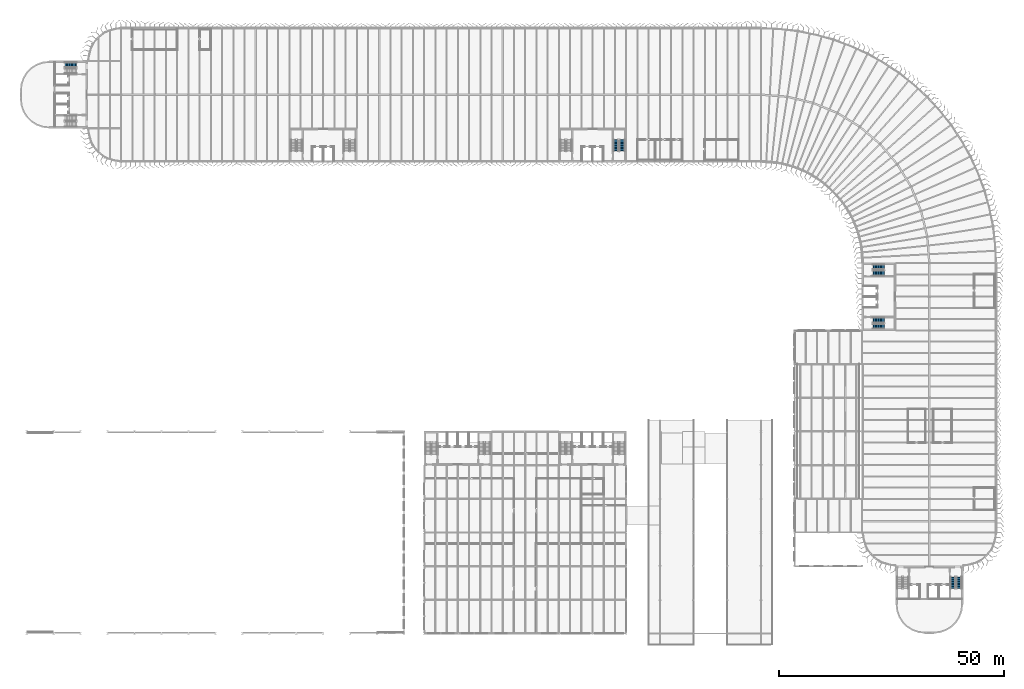
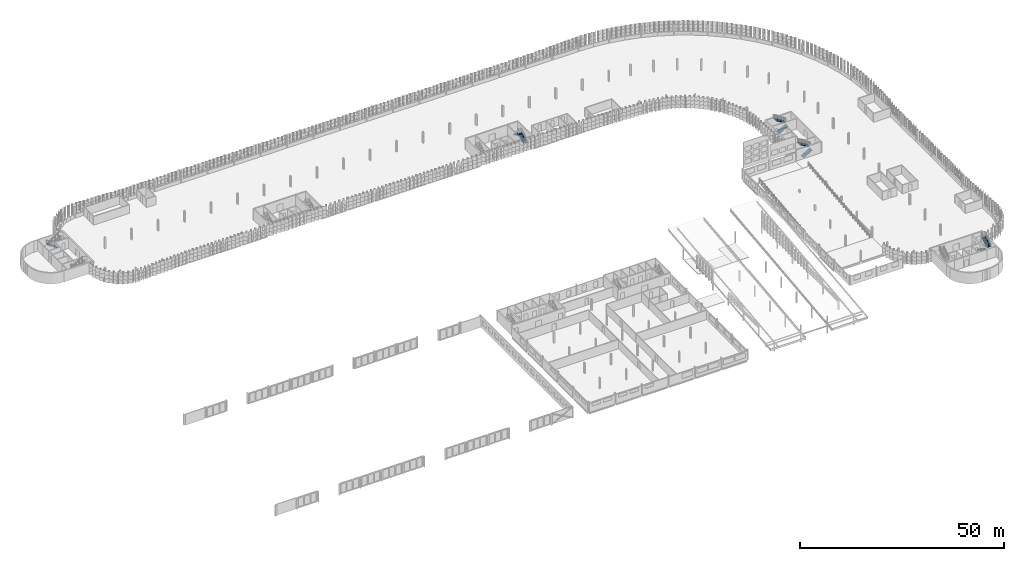
# One storey, part 67 of 199: 9 stair flights, 5 elements without a shape of their own.
"""IFC4 building model written with IfcOpenShell, lengths in metres."""

import ifcopenshell
import ifcopenshell.guid

model = None  # the IFC model being written
_history = None  # IfcOwnerHistory: only IFC2X3 demands one
_inside = {}  # id of a spatial element -> (the spatial element, [elements in it])
_under = {}  # id of a project, library or spatial element -> (it, [spatial elements below it])
_declared = {}  # id of a project -> (the project, [libraries it declares])
_typed = {}  # id of a type object -> (the type object, [elements of that type])
_made_of = {}  # id of a material, layer set ... -> (it, [elements and type objects made of it])


def new_model(schema):
    """Start an empty IFC model of exactly this schema.

    Asked for "IFC4X3", IfcOpenShell would pick the latest addendum, in which some entities
    have other attributes; the version numbers below select the first issue.
    IFC2X3 requires an IfcOwnerHistory on every rooted entity: one is made here for all.
    """
    global model, _history
    if schema == "IFC4X3":
        model = ifcopenshell.file(schema_version=(4, 3, 0, 0))
    else:
        model = ifcopenshell.file(schema=schema)
    _inside.clear()
    _under.clear()
    _declared.clear()
    _typed.clear()
    _made_of.clear()
    _history = None
    if model.schema == "IFC2X3":
        org = make("IfcOrganization", Name="unknown")
        user = make(
            "IfcPersonAndOrganization",
            ThePerson=make("IfcPerson", FamilyName="unknown"),
            TheOrganization=org,
        )
        app = make(
            "IfcApplication",
            ApplicationDeveloper=org,
            Version="unknown",
            ApplicationFullName="unknown",
            ApplicationIdentifier="unknown",
        )
        _history = make(
            "IfcOwnerHistory",
            OwningUser=user,
            OwningApplication=app,
            ChangeAction="ADDED",
            CreationDate=0,
        )
    return model


def make(cls, **values):
    """One entity of the class cls with the attributes given. An attribute that is None is left unset."""
    return model.create_entity(
        cls, **{name: value for name, value in values.items() if value is not None}
    )


def rooted(cls, **values):
    """An entity with a GlobalId (a new one), such as an element, a storey or a relation."""
    return make(cls, GlobalId=ifcopenshell.guid.new(), OwnerHistory=_history, **values)


def si_unit(unit_type, name, prefix=None):
    """IfcSIUnit, for example si_unit("LENGTHUNIT", "METRE", prefix="MILLI")."""
    return make("IfcSIUnit", UnitType=unit_type, Prefix=prefix, Name=name)


def assignment(units):
    """IfcUnitAssignment: the units of a project."""
    return None if units is None else make("IfcUnitAssignment", Units=units)


def point(xyz):
    """IfcCartesianPoint."""
    return None if xyz is None else make("IfcCartesianPoint", Coordinates=xyz)


def direction(xyz):
    """IfcDirection."""
    return None if xyz is None else make("IfcDirection", DirectionRatios=xyz)


def frame(location, z_axis=None, x_axis=None):
    """IfcAxis2Placement3D, a coordinate frame: its origin and axes. An axis left out is left unset."""
    return make(
        "IfcAxis2Placement3D",
        Location=point(location),
        Axis=direction(z_axis),
        RefDirection=direction(x_axis),
    )


def origin():
    """The frame at (0, 0, 0) with its axes left unset."""
    return frame((0.0, 0.0, 0.0))


def place(relative_to, where):
    """IfcLocalPlacement: puts the frame where relative to a parent placement (None: the world)."""
    return make(
        "IfcLocalPlacement", PlacementRelTo=relative_to, RelativePlacement=where
    )


def context(
    kind, dimensions, precision=None, world=None, true_north=None, identifier=None
):
    """IfcGeometricRepresentationContext, for example the 3D "Model" context."""
    return make(
        "IfcGeometricRepresentationContext",
        ContextIdentifier=identifier,
        ContextType=kind,
        CoordinateSpaceDimension=dimensions,
        Precision=precision,
        WorldCoordinateSystem=world,
        TrueNorth=true_north,
    )


def subcontext(parent, identifier, kind, view, scale=None):
    """IfcGeometricRepresentationSubContext, for example "Body" below "Model"."""
    return make(
        "IfcGeometricRepresentationSubContext",
        ContextIdentifier=identifier,
        ContextType=kind,
        ParentContext=parent,
        TargetScale=scale,
        TargetView=view,
    )


def project(units=None, contexts=None):
    """IfcProject with its units and contexts."""
    return rooted(
        "IfcProject",
        Name="project",
        RepresentationContexts=contexts,
        UnitsInContext=assignment(units),
    )


def spatial(cls, under=None, at=None, **own):
    """A site, building, storey or space (cls), placed at a placement, below another one or the project."""
    s = rooted(cls, ObjectPlacement=at, **own)
    if under is not None:
        _under.setdefault(under.id(), (under, []))[1].append(s)
    return s


def polyline(points):
    """IfcPolyline through the points."""
    return make("IfcPolyline", Points=[point(p) for p in points])


def outline(outer, holes=None, kind="AREA"):
    """IfcArbitraryClosedProfileDef: a profile drawn as a closed curve; with holes, ...WithVoids."""
    if holes is None:
        return make("IfcArbitraryClosedProfileDef", ProfileType=kind, OuterCurve=outer)
    return make(
        "IfcArbitraryProfileDefWithVoids",
        ProfileType=kind,
        OuterCurve=outer,
        InnerCurves=holes,
    )


def extrude(swept, where, along, depth):
    """IfcExtrudedAreaSolid: the profile swept, set in the frame where, extruded along a direction by depth."""
    return make(
        "IfcExtrudedAreaSolid",
        SweptArea=swept,
        Position=where,
        ExtrudedDirection=direction(along),
        Depth=depth,
    )


def shape(context_of_items, identifier, shape_type, items):
    """IfcShapeRepresentation: the items that make up one representation, for example the "Body"."""
    return make(
        "IfcShapeRepresentation",
        ContextOfItems=context_of_items,
        RepresentationIdentifier=identifier,
        RepresentationType=shape_type,
        Items=items,
    )


def material(Name=None, Category=None):
    """IfcMaterial."""
    return make("IfcMaterial", Name=Name, Category=Category)


def made_of(thing, what):
    """Note that an element or type object is made of a material, layer set ...; save() writes the relation."""
    if what is not None:
        _made_of.setdefault(what.id(), (what, []))[1].append(thing)
    return thing


def type_object(cls, material=None, **own):
    """A type object (cls), such as IfcWallType, which elements share."""
    return made_of(rooted(cls, **own), material)


def element(
    cls,
    number,
    at=None,
    inside=None,
    cuts=None,
    type_object=None,
    material=None,
    context=None,
    identifier="Body",
    shape_type=None,
    held_by="IfcProductDefinitionShape",
    body=None,
    shapes=None,
    **own,
):
    """One element of the class cls, such as IfcWall. Its Tag is "e" and its number.

    at: its placement. inside: the storey or other place that contains it. cuts: it is an
    opening in that element (IfcRelVoidsElement). A single representation is given by context,
    identifier, shape_type and body (its items); several are given by shapes. held_by: the class
    of the entity that holds the representations. save() writes the other relations.
    """
    e = rooted(cls, Tag="e%d" % number, ObjectPlacement=at, **own)
    if body is not None:
        shapes = [shape(context, identifier, shape_type, body)]
    if shapes is not None:
        e.Representation = make(held_by, Representations=shapes)
    if inside is not None:
        _inside.setdefault(inside.id(), (inside, []))[1].append(e)
    if cuts is not None:
        rooted(
            "IfcRelVoidsElement", RelatingBuildingElement=cuts, RelatedOpeningElement=e
        )
    if type_object is not None:
        _typed.setdefault(type_object.id(), (type_object, []))[1].append(e)
    return made_of(e, material)


def aggregate(whole, parts):
    """IfcRelAggregates: a whole, such as a stair, and the parts it consists of."""
    return rooted("IfcRelAggregates", RelatingObject=whole, RelatedObjects=parts)


def save(model, path):
    """Write the relations noted so far, then the file.

    IfcRelAggregates (storeys below a building ...), IfcRelContainedInSpatialStructure (elements
    in a storey), IfcRelDefinesByType, IfcRelAssociatesMaterial and IfcRelDeclares: one each for
    every whole, place, type object, material and project.
    """
    for whole, parts in _under.values():
        aggregate(whole, parts)
    for where, things in _inside.values():
        rooted(
            "IfcRelContainedInSpatialStructure",
            RelatedElements=things,
            RelatingStructure=where,
        )
    for kind, things in _typed.values():
        rooted("IfcRelDefinesByType", RelatedObjects=things, RelatingType=kind)
    for what, things in _made_of.values():
        rooted("IfcRelAssociatesMaterial", RelatedObjects=things, RelatingMaterial=what)
    for by, libraries in _declared.values():
        rooted("IfcRelDeclares", RelatingContext=by, RelatedDefinitions=libraries)
    model.write(path)


model = new_model("IFC4")

# Units and contexts
model_context = context("Model", 3, precision=1e-05, world=origin(), true_north=direction((0.0, 1.0)))
body_context = subcontext(model_context, "Body", "Model", "MODEL_VIEW")
ifc_project = project(units=[si_unit("LENGTHUNIT", "METRE"), si_unit("AREAUNIT", "SQUARE_METRE"), si_unit("VOLUMEUNIT", "CUBIC_METRE"), si_unit("PLANEANGLEUNIT", "RADIAN"), si_unit("MASSUNIT", "GRAM", prefix="KILO")], contexts=[model_context])

# Site, building, storey
site_placement = place(None, origin())
site = spatial("IfcSite", under=ifc_project, at=site_placement, CompositionType="ELEMENT")
building_placement = place(site_placement, origin())
building = spatial("IfcBuilding", under=site, at=building_placement, Name="Parallax Yard Mobility Hub", CompositionType="ELEMENT")
storey_placement = place(building_placement, frame((0.0, 0.0, 9.89990234375)))
storey = spatial("IfcBuildingStorey", under=building, at=storey_placement, Name="L03", CompositionType="ELEMENT", Elevation=9.89990234375)

# Stair, stair flight
ifc_material = material(Name="Concrete fc' 35 MPa", Category="concrete")
stair_type = type_object("IfcStairType", Name="Exit stair 1200 dog-leg", PredefinedType="HALF_TURN_STAIR", material=ifc_material)
stair_1_placement = place(storey_placement, origin())
stair_1 = element("IfcStair", 1, at=stair_1_placement, inside=storey, type_object=stair_type, Name="L03 Exit stair 2 of core C-W", PredefinedType="HALF_TURN_STAIR")
stair_flight_type = type_object("IfcStairFlightType", Name="Exit stair flight 1200", PredefinedType="STRAIGHT", material=ifc_material)
stair_flight_1_placement = place(storey_placement, frame((20.10009765625, 134.10009765625, 0.0), z_axis=(0.0, 0.0, 1.0), x_axis=(-1.0, 0.0, 0.0)))
stair_flight_1 = element("IfcStairFlight", 2, at=stair_flight_1_placement, type_object=stair_flight_type, Name="ST2 flight 1", NumberOfRisers=10, NumberOfTreads=9, PredefinedType="STRAIGHT", RiserHeight=0.165, TreadLength=0.285, context=body_context, shape_type="SweptSolid", body=[
    extrude(outline(polyline([(0.0, 0.0), (0.0, 0.1650390625), (0.284912109375, 0.1650390625), (0.284912109375, 0.330078125), (0.570068359375, 0.330078125), (0.570068359375, 0.4951171875), (0.85498046875, 0.4951171875), (0.85498046875, 0.659912109375), (1.139892578125, 0.659912109375), (1.139892578125, 0.824951171875), (1.425048828125, 0.824951171875), (1.425048828125, 0.989990234375), (1.7099609375, 0.989990234375), (1.7099609375, 1.155029296875), (1.9951171875, 1.155029296875), (1.9951171875, 1.320068359375), (2.280029296875, 1.320068359375), (2.280029296875, 1.485107421875), (2.56494140625, 1.485107421875), (2.56494140625, 1.64990234375), (2.56494140625, 1.311767578125), (0.299072265625, 0.0), (0.0, 0.0)])), frame((0.0, 0.60009765625, 0.0), z_axis=(0.0, -1.0, 0.0), x_axis=(1.0, 0.0, 0.0)), (0.0, 0.0, 1.0), 1.199951171875),
])
aggregate(stair_1, [stair_flight_1])

# Stair, stair flights
stair_2_placement = place(storey_placement, origin())
stair_2 = element("IfcStair", 3, at=stair_2_placement, inside=storey, type_object=stair_type, Name="L03 Exit stair 1 of core C-N2", PredefinedType="HALF_TURN_STAIR")
stair_flight_2_placement = place(storey_placement, frame((141.60009765625, 114.89990234375, 0.0), z_axis=(0.0, 0.0, 1.0), x_axis=(0.0, 1.0, 0.0)))
stair_flight_2 = element("IfcStairFlight", 4, at=stair_flight_2_placement, type_object=stair_flight_type, Name="ST5 flight 1", NumberOfRisers=10, NumberOfTreads=9, PredefinedType="STRAIGHT", RiserHeight=0.165, TreadLength=0.285, context=body_context, shape_type="SweptSolid", body=[
    extrude(outline(polyline([(0.0, 0.0), (0.0, 0.1650390625), (0.284912109375, 0.1650390625), (0.284912109375, 0.330078125), (0.570068359375, 0.330078125), (0.570068359375, 0.4951171875), (0.85498046875, 0.4951171875), (0.85498046875, 0.659912109375), (1.139892578125, 0.659912109375), (1.139892578125, 0.824951171875), (1.425048828125, 0.824951171875), (1.425048828125, 0.989990234375), (1.7099609375, 0.989990234375), (1.7099609375, 1.155029296875), (1.9951171875, 1.155029296875), (1.9951171875, 1.320068359375), (2.280029296875, 1.320068359375), (2.280029296875, 1.485107421875), (2.56494140625, 1.485107421875), (2.56494140625, 1.64990234375), (2.56494140625, 1.311767578125), (0.299072265625, 0.0), (0.0, 0.0)])), frame((0.0, 0.60009765625, 0.0), z_axis=(0.0, -1.0, 0.0), x_axis=(1.0, 0.0, 0.0)), (0.0, 0.0, 1.0), 1.199951171875),
])
stair_flight_3_placement = place(storey_placement, frame((140.25, 117.465087890625, 1.650146484375), z_axis=(0.0, 0.0, 1.0), x_axis=(0.0, -1.0, 0.0)))
stair_flight_3 = element("IfcStairFlight", 5, at=stair_flight_3_placement, type_object=stair_flight_type, Name="ST5 flight 2", NumberOfRisers=10, NumberOfTreads=9, PredefinedType="STRAIGHT", RiserHeight=0.165, TreadLength=0.285, context=body_context, shape_type="SweptSolid", body=[
    extrude(outline(polyline([(0.0, 0.0), (0.0, 0.1650390625), (0.284912109375, 0.1650390625), (0.284912109375, 0.330078125), (0.570068359375, 0.330078125), (0.570068359375, 0.4951171875), (0.85498046875, 0.4951171875), (0.85498046875, 0.659912109375), (1.139892578125, 0.659912109375), (1.139892578125, 0.824951171875), (1.425048828125, 0.824951171875), (1.425048828125, 0.989990234375), (1.7099609375, 0.989990234375), (1.7099609375, 1.155029296875), (1.9951171875, 1.155029296875), (1.9951171875, 1.320068359375), (2.280029296875, 1.320068359375), (2.280029296875, 1.485107421875), (2.56494140625, 1.485107421875), (2.56494140625, 1.64990234375), (2.56494140625, 1.311767578125), (0.299072265625, 0.0), (0.0, 0.0)])), frame((0.0, 0.60009765625, 0.0), z_axis=(0.0, -1.0, 0.0), x_axis=(1.0, 0.0, 0.0)), (0.0, 0.0, 1.0), 1.199951171875),
])
aggregate(stair_2, [stair_flight_2, stair_flight_3])

stair_3_placement = place(storey_placement, origin())
stair_3 = element("IfcStair", 6, at=stair_3_placement, inside=storey, type_object=stair_type, Name="L03 Exit stair 1 of core C-E", PredefinedType="HALF_TURN_STAIR")
stair_flight_4_placement = place(storey_placement, frame((197.39990234375, 75.89990234375, 0.0), z_axis=(0.0, 0.0, 1.0), x_axis=(1.0, 0.0, 0.0)))
stair_flight_4 = element("IfcStairFlight", 7, at=stair_flight_4_placement, type_object=stair_flight_type, Name="ST7 flight 1", NumberOfRisers=10, NumberOfTreads=9, PredefinedType="STRAIGHT", RiserHeight=0.165, TreadLength=0.285, context=body_context, shape_type="SweptSolid", body=[
    extrude(outline(polyline([(0.0, 0.0), (0.0, 0.1650390625), (0.284912109375, 0.1650390625), (0.284912109375, 0.330078125), (0.570068359375, 0.330078125), (0.570068359375, 0.4951171875), (0.85498046875, 0.4951171875), (0.85498046875, 0.659912109375), (1.139892578125, 0.659912109375), (1.139892578125, 0.824951171875), (1.425048828125, 0.824951171875), (1.425048828125, 0.989990234375), (1.7099609375, 0.989990234375), (1.7099609375, 1.155029296875), (1.9951171875, 1.155029296875), (1.9951171875, 1.320068359375), (2.280029296875, 1.320068359375), (2.280029296875, 1.485107421875), (2.56494140625, 1.485107421875), (2.56494140625, 1.64990234375), (2.56494140625, 1.311767578125), (0.299072265625, 0.0), (0.0, 0.0)])), frame((0.0, 0.60009765625, 0.0), z_axis=(0.0, -1.0, 0.0), x_axis=(1.0, 0.0, 0.0)), (0.0, 0.0, 1.0), 1.199951171875),
])
stair_flight_5_placement = place(storey_placement, frame((199.965087890625, 77.25, 1.650146484375), z_axis=(0.0, 0.0, 1.0), x_axis=(-1.0, 0.0, 0.0)))
stair_flight_5 = element("IfcStairFlight", 8, at=stair_flight_5_placement, type_object=stair_flight_type, Name="ST7 flight 2", NumberOfRisers=10, NumberOfTreads=9, PredefinedType="STRAIGHT", RiserHeight=0.165, TreadLength=0.285, context=body_context, shape_type="SweptSolid", body=[
    extrude(outline(polyline([(0.0, 0.0), (0.0, 0.1650390625), (0.284912109375, 0.1650390625), (0.284912109375, 0.330078125), (0.570068359375, 0.330078125), (0.570068359375, 0.4951171875), (0.85498046875, 0.4951171875), (0.85498046875, 0.659912109375), (1.139892578125, 0.659912109375), (1.139892578125, 0.824951171875), (1.425048828125, 0.824951171875), (1.425048828125, 0.989990234375), (1.7099609375, 0.989990234375), (1.7099609375, 1.155029296875), (1.9951171875, 1.155029296875), (1.9951171875, 1.320068359375), (2.280029296875, 1.320068359375), (2.280029296875, 1.485107421875), (2.56494140625, 1.485107421875), (2.56494140625, 1.64990234375), (2.56494140625, 1.311767578125), (0.299072265625, 0.0), (0.0, 0.0)])), frame((0.0, 0.60009765625, 0.0), z_axis=(0.0, -1.0, 0.0), x_axis=(1.0, 0.0, 0.0)), (0.0, 0.0, 1.0), 1.199951171875),
])
aggregate(stair_3, [stair_flight_4, stair_flight_5])

stair_4_placement = place(storey_placement, origin())
stair_4 = element("IfcStair", 9, at=stair_4_placement, inside=storey, type_object=stair_type, Name="L03 Exit stair 2 of core C-E", PredefinedType="HALF_TURN_STAIR")
stair_flight_6_placement = place(storey_placement, frame((197.39990234375, 87.75, 0.0), z_axis=(0.0, 0.0, 1.0), x_axis=(1.0, 0.0, 0.0)))
stair_flight_6 = element("IfcStairFlight", 10, at=stair_flight_6_placement, type_object=stair_flight_type, Name="ST8 flight 1", NumberOfRisers=10, NumberOfTreads=9, PredefinedType="STRAIGHT", RiserHeight=0.165, TreadLength=0.285, context=body_context, shape_type="SweptSolid", body=[
    extrude(outline(polyline([(0.0, 0.0), (0.0, 0.1650390625), (0.284912109375, 0.1650390625), (0.284912109375, 0.330078125), (0.570068359375, 0.330078125), (0.570068359375, 0.4951171875), (0.85498046875, 0.4951171875), (0.85498046875, 0.659912109375), (1.139892578125, 0.659912109375), (1.139892578125, 0.824951171875), (1.425048828125, 0.824951171875), (1.425048828125, 0.989990234375), (1.7099609375, 0.989990234375), (1.7099609375, 1.155029296875), (1.9951171875, 1.155029296875), (1.9951171875, 1.320068359375), (2.280029296875, 1.320068359375), (2.280029296875, 1.485107421875), (2.56494140625, 1.485107421875), (2.56494140625, 1.64990234375), (2.56494140625, 1.311767578125), (0.299072265625, 0.0), (0.0, 0.0)])), frame((0.0, 0.60009765625, 0.0), z_axis=(0.0, -1.0, 0.0), x_axis=(1.0, 0.0, 0.0)), (0.0, 0.0, 1.0), 1.199951171875),
])
stair_flight_7_placement = place(storey_placement, frame((199.965087890625, 89.10009765625, 1.650146484375), z_axis=(0.0, 0.0, 1.0), x_axis=(-1.0, 0.0, 0.0)))
stair_flight_7 = element("IfcStairFlight", 11, at=stair_flight_7_placement, type_object=stair_flight_type, Name="ST8 flight 2", NumberOfRisers=10, NumberOfTreads=9, PredefinedType="STRAIGHT", RiserHeight=0.165, TreadLength=0.285, context=body_context, shape_type="SweptSolid", body=[
    extrude(outline(polyline([(0.0, 0.0), (0.0, 0.1650390625), (0.284912109375, 0.1650390625), (0.284912109375, 0.330078125), (0.570068359375, 0.330078125), (0.570068359375, 0.4951171875), (0.85498046875, 0.4951171875), (0.85498046875, 0.659912109375), (1.139892578125, 0.659912109375), (1.139892578125, 0.824951171875), (1.425048828125, 0.824951171875), (1.425048828125, 0.989990234375), (1.7099609375, 0.989990234375), (1.7099609375, 1.155029296875), (1.9951171875, 1.155029296875), (1.9951171875, 1.320068359375), (2.280029296875, 1.320068359375), (2.280029296875, 1.485107421875), (2.56494140625, 1.485107421875), (2.56494140625, 1.64990234375), (2.56494140625, 1.311767578125), (0.299072265625, 0.0), (0.0, 0.0)])), frame((0.0, 0.60009765625, 0.0), z_axis=(0.0, -1.0, 0.0), x_axis=(1.0, 0.0, 0.0)), (0.0, 0.0, 1.0), 1.199951171875),
])
aggregate(stair_4, [stair_flight_6, stair_flight_7])

stair_5_placement = place(storey_placement, origin())
stair_5 = element("IfcStair", 12, at=stair_5_placement, inside=storey, type_object=stair_type, Name="L03 Exit stair 1 of core C-S", PredefinedType="HALF_TURN_STAIR")
stair_flight_8_placement = place(storey_placement, frame((215.25, 20.10009765625, 0.0), z_axis=(0.0, 0.0, 1.0), x_axis=(0.0, -1.0, 0.0)))
stair_flight_8 = element("IfcStairFlight", 13, at=stair_flight_8_placement, type_object=stair_flight_type, Name="ST9 flight 1", NumberOfRisers=10, NumberOfTreads=9, PredefinedType="STRAIGHT", RiserHeight=0.165, TreadLength=0.285, context=body_context, shape_type="SweptSolid", body=[
    extrude(outline(polyline([(0.0, 0.0), (0.0, 0.1650390625), (0.284912109375, 0.1650390625), (0.284912109375, 0.330078125), (0.570068359375, 0.330078125), (0.570068359375, 0.4951171875), (0.85498046875, 0.4951171875), (0.85498046875, 0.659912109375), (1.139892578125, 0.659912109375), (1.139892578125, 0.824951171875), (1.425048828125, 0.824951171875), (1.425048828125, 0.989990234375), (1.7099609375, 0.989990234375), (1.7099609375, 1.155029296875), (1.9951171875, 1.155029296875), (1.9951171875, 1.320068359375), (2.280029296875, 1.320068359375), (2.280029296875, 1.485107421875), (2.56494140625, 1.485107421875), (2.56494140625, 1.64990234375), (2.56494140625, 1.311767578125), (0.299072265625, 0.0), (0.0, 0.0)])), frame((0.0, 0.60009765625, 0.0), z_axis=(0.0, -1.0, 0.0), x_axis=(1.0, 0.0, 0.0)), (0.0, 0.0, 1.0), 1.199951171875),
])
stair_flight_9_placement = place(storey_placement, frame((216.60009765625, 17.534912109375, 1.650146484375), z_axis=(0.0, 0.0, 1.0), x_axis=(0.0, 1.0, 0.0)))
stair_flight_9 = element("IfcStairFlight", 14, at=stair_flight_9_placement, type_object=stair_flight_type, Name="ST9 flight 2", NumberOfRisers=10, NumberOfTreads=9, PredefinedType="STRAIGHT", RiserHeight=0.165, TreadLength=0.285, context=body_context, shape_type="SweptSolid", body=[
    extrude(outline(polyline([(0.0, 0.0), (0.0, 0.1650390625), (0.284912109375, 0.1650390625), (0.284912109375, 0.330078125), (0.570068359375, 0.330078125), (0.570068359375, 0.4951171875), (0.85498046875, 0.4951171875), (0.85498046875, 0.659912109375), (1.139892578125, 0.659912109375), (1.139892578125, 0.824951171875), (1.425048828125, 0.824951171875), (1.425048828125, 0.989990234375), (1.7099609375, 0.989990234375), (1.7099609375, 1.155029296875), (1.9951171875, 1.155029296875), (1.9951171875, 1.320068359375), (2.280029296875, 1.320068359375), (2.280029296875, 1.485107421875), (2.56494140625, 1.485107421875), (2.56494140625, 1.64990234375), (2.56494140625, 1.311767578125), (0.299072265625, 0.0), (0.0, 0.0)])), frame((0.0, 0.60009765625, 0.0), z_axis=(0.0, -1.0, 0.0), x_axis=(1.0, 0.0, 0.0)), (0.0, 0.0, 1.0), 1.199951171875),
])
aggregate(stair_5, [stair_flight_8, stair_flight_9])

save(model, "model.ifc")
